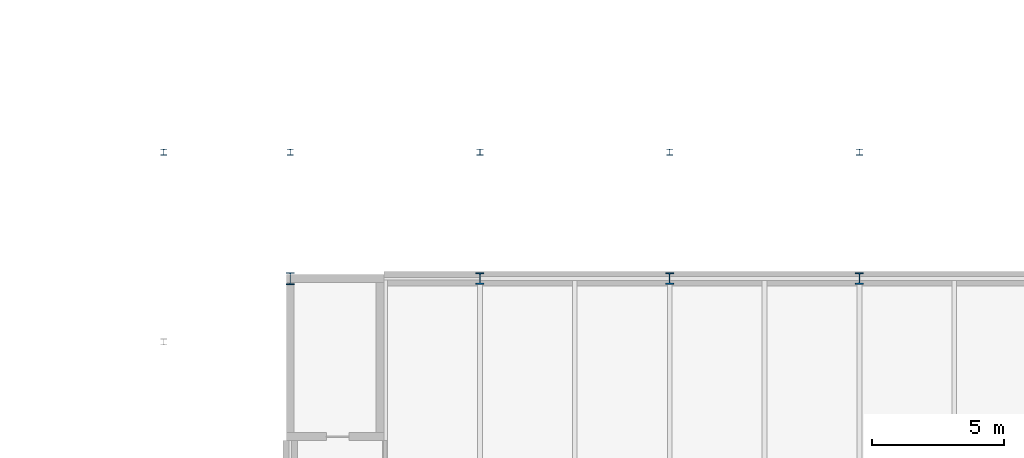
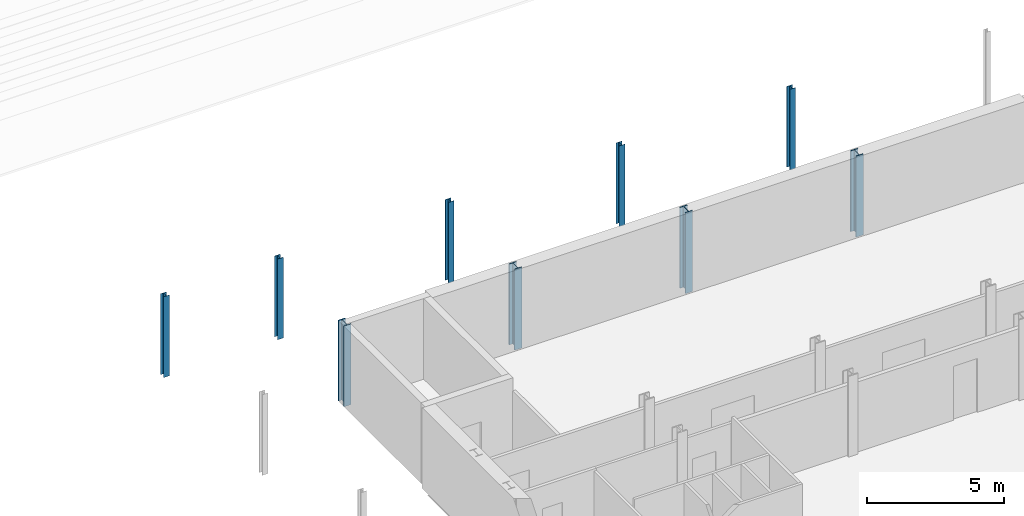
# One storey, part 22 of 90: 9 columns.
"""IFC4 building model written with IfcOpenShell, lengths in metres."""

from ifc_helpers import new_model, si_unit, direction, frame, origin, origin_2d, place, context, subcontext, project, spatial, i_section, extrude, material, material_profile, profile_set, type_object, element, save


model = new_model("IFC4")

# Units and contexts
model_context = context("Model", 3, precision=1e-05, world=origin(), true_north=direction((0.0, 1.0)))
body_context = subcontext(model_context, "Body", "Model", "MODEL_VIEW")
ifc_project = project(units=[si_unit("LENGTHUNIT", "METRE"), si_unit("AREAUNIT", "SQUARE_METRE"), si_unit("VOLUMEUNIT", "CUBIC_METRE"), si_unit("PLANEANGLEUNIT", "RADIAN"), si_unit("MASSUNIT", "GRAM", prefix="KILO")], contexts=[model_context])

# Site, building, storey
site_placement = place(None, origin())
site = spatial("IfcSite", under=ifc_project, at=site_placement, CompositionType="ELEMENT")
building_placement = place(site_placement, origin())
building = spatial("IfcBuilding", under=site, at=building_placement, Name="Kupolbacken Congress Centre", CompositionType="ELEMENT")
storey_placement = place(building_placement, frame((0.0, 0.0, 3.60009765625)))
storey = spatial("IfcBuildingStorey", under=building, at=storey_placement, Name="L01", CompositionType="ELEMENT", Elevation=3.60009765625)

# Columns
ifc_material_1 = material(Name="Steel S355", Category="steel")
ifc_material_profile_1 = material_profile(ifc_material_1, i_section(OverallWidth=0.306884765625, OverallDepth=0.431884765625, WebThickness=0.02099609375, FlangeThickness=0.0400390625, FilletRadius=0.027099609375, at=origin_2d()), Name="HEM 400")
ifc_profile_set_1 = profile_set([ifc_material_profile_1], Name="Steel S355")
column_type_1 = type_object("IfcColumnType", Name="C02 column HEM 400", PredefinedType="COLUMN", material=ifc_profile_set_1)
for number, where, z_axis, x_axis, name in (
    (1, (72.0, 144.0, 0.0), (0.0, 0.0, 1.0), (1.0, 0.0, 0.0), "S/col/C-T-11W/L01"),
    (2, (79.199951171875, 144.0, 0.0), (0.0, 0.0, 1.0), (1.0, 0.0, 0.0), "S/col/C-T-12W/L01"),
    (3, (86.39990234375, 144.0, 0.0), (0.0, 0.0, 1.0), (1.0, 0.0, 0.0), "S/col/C-T-13W/L01"),
):
    element("IfcColumn", number, at=place(storey_placement, frame(where, z_axis=z_axis, x_axis=x_axis)), inside=storey, type_object=column_type_1, Name=name, PredefinedType="COLUMN", context=body_context, shape_type="SweptSolid", body=[
        extrude(i_section(OverallWidth=0.306884765625, OverallDepth=0.431884765625, WebThickness=0.02099609375, FlangeThickness=0.0400390625, FilletRadius=0.027099609375, at=origin_2d()), origin(), (0.0, 0.0, 1.0), 3.599853515625),
    ])
ifc_material_2 = material(Name="Steel S355", Category="steel")
ifc_material_profile_2 = material_profile(ifc_material_2, i_section(OverallWidth=0.300048828125, OverallDepth=0.449951171875, WebThickness=0.013916015625, FlangeThickness=0.02587890625, FilletRadius=0.027099609375, at=origin_2d()), Name="HEB 450")
ifc_profile_set_2 = profile_set([ifc_material_profile_2], Name="Steel S355")
column_type_2 = type_object("IfcColumnType", Name="C03 column HEB 450", PredefinedType="COLUMN", material=ifc_profile_set_2)
column_placement = place(storey_placement, frame((64.800048828125, 144.0, 0.0), z_axis=(0.0, 0.0, 1.0), x_axis=(1.0, 0.0, 0.0)))
element("IfcColumn", 4, at=column_placement, inside=storey, type_object=column_type_2, Name="S/col/C-T-10W/L01", PredefinedType="COLUMN", context=body_context, shape_type="SweptSolid", body=[
    extrude(i_section(OverallWidth=0.300048828125, OverallDepth=0.449951171875, WebThickness=0.013916015625, FlangeThickness=0.02587890625, FilletRadius=0.027099609375, at=origin_2d()), origin(), (0.0, 0.0, 1.0), 3.599853515625),
])
ifc_material_3 = material(Name="Steel S355", Category="steel")
ifc_material_profile_3 = material_profile(ifc_material_3, i_section(OverallWidth=0.239990234375, OverallDepth=0.22998046875, WebThickness=0.007568359375, FlangeThickness=0.011962890625, FilletRadius=0.02099609375, at=origin_2d()), Name="HEA 240")
ifc_profile_set_3 = profile_set([ifc_material_profile_3], Name="Steel S355")
column_type_3 = type_object("IfcColumnType", Name="C10 column HEA 240", PredefinedType="COLUMN", material=ifc_profile_set_3)
for number, where, z_axis, x_axis, name in (
    (5, (60.0, 148.800048828125, 0.0), (0.0, 0.0, 1.0), (1.0, 0.0, 0.0), "E/T/portico/W/col148.8/L01"),
    (6, (64.800048828125, 148.800048828125, 0.0), (0.0, 0.0, 1.0), (1.0, 0.0, 0.0), "E/T/portico/N/col64.8/L01"),
    (7, (72.0, 148.800048828125, 0.0), (0.0, 0.0, 1.0), (1.0, 0.0, 0.0), "E/T/portico/N/col72/L01"),
    (8, (79.199951171875, 148.800048828125, 0.0), (0.0, 0.0, 1.0), (1.0, 0.0, 0.0), "E/T/portico/N/col79.2/L01"),
    (9, (86.39990234375, 148.800048828125, 0.0), (0.0, 0.0, 1.0), (1.0, 0.0, 0.0), "E/T/portico/N/col86.4/L01"),
):
    element("IfcColumn", number, at=place(storey_placement, frame(where, z_axis=z_axis, x_axis=x_axis)), inside=storey, type_object=column_type_3, Name=name, PredefinedType="COLUMN", context=body_context, shape_type="SweptSolid", body=[
        extrude(i_section(OverallWidth=0.239990234375, OverallDepth=0.22998046875, WebThickness=0.007568359375, FlangeThickness=0.011962890625, FilletRadius=0.02099609375, at=origin_2d()), origin(), (0.0, 0.0, 1.0), 3.599853515625),
    ])

save(model, "model.ifc")
